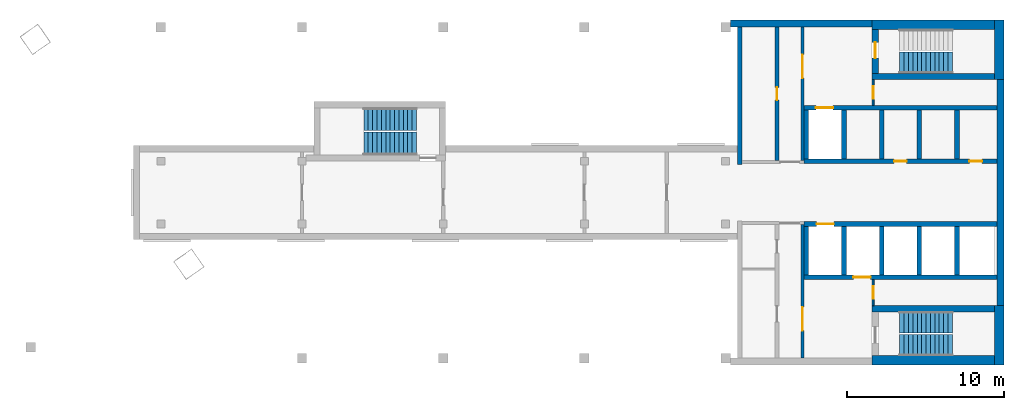
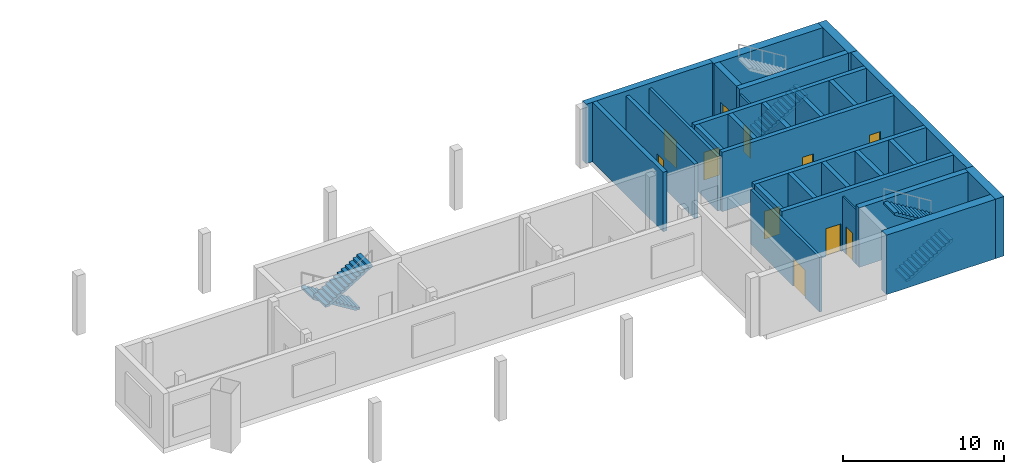
# One storey, part 2 of 4: 29 walls, 11 doors, 5 stair flights, 11 openings, 3 elements without a shape of their own.
"""IFC4 building model written with IfcOpenShell, lengths in metres."""

from ifc_helpers import new_model, si_unit, direction, frame, frame_2d, origin, place, context, subcontext, project, spatial, polyline, rectangle, outline, extrude, material, layer, layer_set, type_object, element, fill, aggregate, save


model = new_model("IFC4")

# Units and contexts
model_context = context("Model", 3, precision=1e-05, world=origin(), true_north=direction((0.0, 1.0)))
body_context = subcontext(model_context, "Body", "Model", "MODEL_VIEW")
ifc_project = project(units=[si_unit("LENGTHUNIT", "METRE"), si_unit("AREAUNIT", "SQUARE_METRE"), si_unit("VOLUMEUNIT", "CUBIC_METRE"), si_unit("PLANEANGLEUNIT", "RADIAN"), si_unit("MASSUNIT", "GRAM", prefix="KILO")], contexts=[model_context])

# Site, building, storey
site_placement = place(None, origin())
site = spatial("IfcSite", under=ifc_project, at=site_placement, CompositionType="ELEMENT")
building_placement = place(site_placement, origin())
building = spatial("IfcBuilding", under=site, at=building_placement, Name="Skarvind Civic Tower", CompositionType="ELEMENT")
storey_placement = place(building_placement, frame((0.0, 0.0, 282.0)))
storey = spatial("IfcBuildingStorey", under=building, at=storey_placement, Name="L67", CompositionType="ELEMENT", Elevation=282.0)

# Wall, opening, door
ifc_material_1 = material(Name="Fire-rated masonry partition", Category="masonry")
ifc_layer_1 = layer(ifc_material_1, 0.199951171875)
ifc_layer_set_1 = layer_set([ifc_layer_1], Name="Core enclosure wall 200")
wall_type_1 = type_object("IfcWallType", Name="Core enclosure wall 200", PredefinedType="PARTITIONING", material=ifc_layer_set_1)
wall_1_placement = place(storey_placement, frame((95.14990234375, 117.449951171875, 0.0), z_axis=(0.0, 0.0, 1.0), x_axis=(0.0, 1.0, 0.0)))
wall_1 = element("IfcWall", 1, at=wall_1_placement, inside=storey, type_object=wall_type_1, Name="Core wall C1", PredefinedType="PARTITIONING", context=body_context, shape_type="SweptSolid", body=[
    extrude(rectangle(XDim=8.5, YDim=0.199951171875, at=frame_2d((4.25, 0.0))), origin(), (0.0, 0.0, 1.0), 4.125),
])
opening_1_placement = place(wall_1_placement, frame((1.75, 0.0, 0.0)))
opening_1 = element("IfcOpeningElement", 2, at=opening_1_placement, cuts=wall_1, Name="Opening D-L67-C1-05", PredefinedType="OPENING", context=body_context, shape_type="SweptSolid", body=[
    extrude(rectangle(XDim=1.5, YDim=2.10009765625, at=frame_2d((0.75, 1.050048828125))), frame((0.0, 0.10986328125, 0.0), z_axis=(0.0, -1.0, 0.0), x_axis=(1.0, 0.0, 0.0)), (0.0, 0.0, 1.0), 0.219970703125),
])
ifc_material_2 = material(Name="Fire-rated steel door", Category="steel")
door_type_1 = type_object("IfcDoorType", Name="Fire door 1500", OperationType="NOTDEFINED", PredefinedType="DOOR", material=ifc_material_2)
door_1_placement = place(opening_1_placement, origin())
door_1 = element("IfcDoor", 3, at=door_1_placement, inside=storey, type_object=door_type_1, Name="Fire door", OperationType="DOUBLE_DOOR_SINGLE_SWING", OverallHeight=2.10009765625, OverallWidth=1.5, PredefinedType="DOOR", context=body_context, shape_type="SweptSolid", body=[
    extrude(rectangle(XDim=1.5, YDim=2.10009765625, at=frame_2d((0.75, 1.050048828125))), frame((0.0, 0.02490234375, 0.0), z_axis=(0.0, -1.0, 0.0), x_axis=(1.0, 0.0, 0.0)), (0.0, 0.0, 1.0), 0.050048828125),
])
fill(opening_1, door_1)

wall_2_placement = place(storey_placement, frame((95.14990234375, 130.050048828125, 0.0), z_axis=(0.0, 0.0, 1.0), x_axis=(0.0, 1.0, 0.0)))
wall_2 = element("IfcWall", 4, at=wall_2_placement, inside=storey, type_object=wall_type_1, Name="Core wall C1", PredefinedType="PARTITIONING", context=body_context, shape_type="SweptSolid", body=[
    extrude(rectangle(XDim=8.5, YDim=0.199951171875, at=frame_2d((4.25, 0.0))), origin(), (0.0, 0.0, 1.0), 4.125),
])
opening_2_placement = place(wall_2_placement, frame((5.25, 0.0, 0.0)))
opening_2 = element("IfcOpeningElement", 5, at=opening_2_placement, cuts=wall_2, Name="Opening D-L67-C1-11", PredefinedType="OPENING", context=body_context, shape_type="SweptSolid", body=[
    extrude(rectangle(XDim=1.5, YDim=2.10009765625, at=frame_2d((0.75, 1.050048828125))), frame((0.0, 0.10986328125, 0.0), z_axis=(0.0, -1.0, 0.0), x_axis=(1.0, 0.0, 0.0)), (0.0, 0.0, 1.0), 0.219970703125),
])
door_2_placement = place(opening_2_placement, origin())
door_2 = element("IfcDoor", 6, at=door_2_placement, inside=storey, type_object=door_type_1, Name="Fire door", OperationType="DOUBLE_DOOR_SINGLE_SWING", OverallHeight=2.10009765625, OverallWidth=1.5, PredefinedType="DOOR", context=body_context, shape_type="SweptSolid", body=[
    extrude(rectangle(XDim=1.5, YDim=2.10009765625, at=frame_2d((0.75, 1.050048828125))), frame((0.0, 0.02490234375, 0.0), z_axis=(0.0, -1.0, 0.0), x_axis=(1.0, 0.0, 0.0)), (0.0, 0.0, 1.0), 0.050048828125),
])
fill(opening_2, door_2)

# Wall, openings, doors
ifc_material_3 = material(Name="Concrete C60", Category="concrete")
ifc_layer_2 = layer(ifc_material_3, 0.300048828125)
ifc_layer_set_2 = layer_set([ifc_layer_2], Name="Core wall 300 C60")
wall_type_2 = type_object("IfcWallType", Name="Core wall 300 C60", PredefinedType="SHEAR", material=ifc_layer_set_2)
wall_3_placement = place(storey_placement, frame((107.550048828125, 130.0, 0.0), z_axis=(0.0, 0.0, 1.0), x_axis=(-1.0, 0.0, 0.0)))
wall_3 = element("IfcWall", 7, at=wall_3_placement, inside=storey, type_object=wall_type_2, Name="Core wall C1 south lift row front L67", PredefinedType="SHEAR", context=body_context, shape_type="SweptSolid", body=[
    extrude(rectangle(XDim=12.300048828125, YDim=0.300048828125, at=frame_2d((6.14990234375, 0.0))), origin(), (0.0, 0.0, 1.0), 4.5),
])
opening_3_placement = place(wall_3_placement, frame((0.949951171875, 0.0, 0.0)))
opening_3 = element("IfcOpeningElement", 8, at=opening_3_placement, cuts=wall_3, Name="Opening D-L67-C1-02", PredefinedType="OPENING", context=body_context, shape_type="SweptSolid", body=[
    extrude(rectangle(XDim=0.800048828125, YDim=2.10009765625, at=frame_2d((0.39990234375, 1.050048828125))), frame((0.0, 0.159912109375, 0.0), z_axis=(0.0, -1.0, 0.0), x_axis=(1.0, 0.0, 0.0)), (0.0, 0.0, 1.0), 0.320068359375),
])
opening_4_placement = place(wall_3_placement, frame((5.75, 0.0, 0.0)))
opening_4 = element("IfcOpeningElement", 9, at=opening_4_placement, cuts=wall_3, Name="Opening D-L67-C1-03", PredefinedType="OPENING", context=body_context, shape_type="SweptSolid", body=[
    extrude(rectangle(XDim=0.800048828125, YDim=2.10009765625, at=frame_2d((0.39990234375, 1.050048828125))), frame((0.0, 0.159912109375, 0.0), z_axis=(0.0, -1.0, 0.0), x_axis=(1.0, 0.0, 0.0)), (0.0, 0.0, 1.0), 0.320068359375),
])
door_type_2 = type_object("IfcDoorType", Name="Core riser door 800", OperationType="NOTDEFINED", PredefinedType="DOOR", material=ifc_material_2)
door_3_placement = place(opening_3_placement, origin())
door_3 = element("IfcDoor", 10, at=door_3_placement, inside=storey, type_object=door_type_2, Name="Riser door", OperationType="SINGLE_SWING_LEFT", OverallHeight=2.10009765625, OverallWidth=0.800048828125, PredefinedType="DOOR", context=body_context, shape_type="SweptSolid", body=[
    extrude(rectangle(XDim=0.800048828125, YDim=2.10009765625, at=frame_2d((0.39990234375, 1.050048828125))), frame((0.0, 0.02490234375, 0.0), z_axis=(0.0, -1.0, 0.0), x_axis=(1.0, 0.0, 0.0)), (0.0, 0.0, 1.0), 0.050048828125),
])
fill(opening_3, door_3)
door_4_placement = place(opening_4_placement, origin())
door_4 = element("IfcDoor", 11, at=door_4_placement, inside=storey, type_object=door_type_2, Name="Riser door", OperationType="SINGLE_SWING_RIGHT", OverallHeight=2.10009765625, OverallWidth=0.800048828125, PredefinedType="DOOR", context=body_context, shape_type="SweptSolid", body=[
    extrude(rectangle(XDim=0.800048828125, YDim=2.10009765625, at=frame_2d((0.39990234375, 1.050048828125))), frame((0.0, 0.02490234375, 0.0), z_axis=(0.0, -1.0, 0.0), x_axis=(1.0, 0.0, 0.0)), (0.0, 0.0, 1.0), 0.050048828125),
])
fill(opening_4, door_4)

# Wall, opening, door
wall_4_placement = place(storey_placement, frame((107.550048828125, 133.39990234375, 0.0), z_axis=(0.0, 0.0, 1.0), x_axis=(-1.0, 0.0, 0.0)))
wall_4 = element("IfcWall", 12, at=wall_4_placement, inside=storey, type_object=wall_type_2, Name="Core wall C1 south lift row back L67", PredefinedType="SHEAR", context=body_context, shape_type="SweptSolid", body=[
    extrude(rectangle(XDim=12.300048828125, YDim=0.300048828125, at=frame_2d((6.14990234375, 0.0))), origin(), (0.0, 0.0, 1.0), 4.5),
])
opening_5_placement = place(wall_4_placement, frame((10.449951171875, 0.0, 0.0)))
opening_5 = element("IfcOpeningElement", 13, at=opening_5_placement, cuts=wall_4, Name="Opening LD69110", PredefinedType="OPENING", context=body_context, shape_type="SweptSolid", body=[
    extrude(rectangle(XDim=1.10009765625, YDim=2.10009765625, at=frame_2d((0.550048828125, 1.050048828125))), frame((0.0, 0.159912109375, 0.0), z_axis=(0.0, -1.0, 0.0), x_axis=(1.0, 0.0, 0.0)), (0.0, 0.0, 1.0), 0.320068359375),
])
ifc_material_4 = material(Name="Stainless steel landing door", Category="steel")
door_type_3 = type_object("IfcDoorType", Name="Lift landing door 1100", OperationType="DOUBLE_DOOR_SLIDING", PredefinedType="DOOR", material=ifc_material_4)
door_5_placement = place(opening_5_placement, origin())
door_5 = element("IfcDoor", 14, at=door_5_placement, inside=storey, type_object=door_type_3, Name="Lift landing door", OperationType="DOUBLE_DOOR_SLIDING", OverallHeight=2.10009765625, OverallWidth=1.10009765625, PredefinedType="DOOR", context=body_context, shape_type="SweptSolid", body=[
    extrude(rectangle(XDim=1.10009765625, YDim=2.10009765625, at=frame_2d((0.550048828125, 1.050048828125))), frame((0.0, 0.02490234375, 0.0), z_axis=(0.0, -1.0, 0.0), x_axis=(1.0, 0.0, 0.0)), (0.0, 0.0, 1.0), 0.050048828125),
])
fill(opening_5, door_5)

# Walls
for number, where, z_axis, x_axis, name in (
    (15, (105.0, 133.25, 0.0), (0.0, 0.0, 1.0), (0.0, -1.0, 0.0), "Core wall C1 south lift row division 1 L67"),
    (16, (102.60009765625, 133.25, 0.0), (0.0, 0.0, 1.0), (0.0, -1.0, 0.0), "Core wall C1 south lift row division 2 L67"),
    (17, (100.199951171875, 133.25, 0.0), (0.0, 0.0, 1.0), (0.0, -1.0, 0.0), "Core wall C1 south lift row division 3 L67"),
    (18, (97.800048828125, 133.25, 0.0), (0.0, 0.0, 1.0), (0.0, -1.0, 0.0), "Core wall C1 south lift row division 4 L67"),
    (19, (95.39990234375, 133.25, 0.0), (0.0, 0.0, 1.0), (0.0, -1.0, 0.0), "Core wall C1 south lift row division 5 L67"),
):
    element("IfcWall", number, at=place(storey_placement, frame(where, z_axis=z_axis, x_axis=x_axis)), inside=storey, type_object=wall_type_2, Name=name, PredefinedType="SHEAR", context=body_context, shape_type="SweptSolid", body=[
        extrude(rectangle(XDim=3.10009765625, YDim=0.300048828125, at=frame_2d((1.550048828125, 0.0))), origin(), (0.0, 0.0, 1.0), 4.5),
    ])

# Wall, opening, door
wall_5_placement = place(storey_placement, frame((107.550048828125, 126.0, 0.0), z_axis=(0.0, 0.0, 1.0), x_axis=(-1.0, 0.0, 0.0)))
wall_5 = element("IfcWall", 20, at=wall_5_placement, inside=storey, type_object=wall_type_2, Name="Core wall C1 north lift row front L67", PredefinedType="SHEAR", context=body_context, shape_type="SweptSolid", body=[
    extrude(rectangle(XDim=12.300048828125, YDim=0.300048828125, at=frame_2d((6.14990234375, 0.0))), origin(), (0.0, 0.0, 1.0), 4.5),
])
opening_6_placement = place(wall_5_placement, frame((10.39990234375, 0.0, 0.0)))
opening_6 = element("IfcOpeningElement", 21, at=opening_6_placement, cuts=wall_5, Name="Opening LD69105", PredefinedType="OPENING", context=body_context, shape_type="SweptSolid", body=[
    extrude(rectangle(XDim=1.10009765625, YDim=2.10009765625, at=frame_2d((0.550048828125, 1.050048828125))), frame((0.0, 0.159912109375, 0.0), z_axis=(0.0, -1.0, 0.0), x_axis=(1.0, 0.0, 0.0)), (0.0, 0.0, 1.0), 0.320068359375),
])
door_6_placement = place(opening_6_placement, origin())
door_6 = element("IfcDoor", 22, at=door_6_placement, inside=storey, type_object=door_type_3, Name="Lift landing door", OperationType="DOUBLE_DOOR_SLIDING", OverallHeight=2.10009765625, OverallWidth=1.10009765625, PredefinedType="DOOR", context=body_context, shape_type="SweptSolid", body=[
    extrude(rectangle(XDim=1.10009765625, YDim=2.10009765625, at=frame_2d((0.550048828125, 1.050048828125))), frame((0.0, 0.02490234375, 0.0), z_axis=(0.0, -1.0, 0.0), x_axis=(1.0, 0.0, 0.0)), (0.0, 0.0, 1.0), 0.050048828125),
])
fill(opening_6, door_6)

wall_6_placement = place(storey_placement, frame((107.550048828125, 122.60009765625, 0.0), z_axis=(0.0, 0.0, 1.0), x_axis=(-1.0, 0.0, 0.0)))
wall_6 = element("IfcWall", 23, at=wall_6_placement, inside=storey, type_object=wall_type_2, Name="Core wall C1 north lift row back L67", PredefinedType="SHEAR", context=body_context, shape_type="SweptSolid", body=[
    extrude(rectangle(XDim=12.300048828125, YDim=0.300048828125, at=frame_2d((6.14990234375, 0.0))), origin(), (0.0, 0.0, 1.0), 4.5),
])
opening_7_placement = place(wall_6_placement, frame((8.050048828125, 0.0, 0.0)))
opening_7 = element("IfcOpeningElement", 24, at=opening_7_placement, cuts=wall_6, Name="Opening LD69104", PredefinedType="OPENING", context=body_context, shape_type="SweptSolid", body=[
    extrude(rectangle(XDim=1.10009765625, YDim=2.10009765625, at=frame_2d((0.550048828125, 1.050048828125))), frame((0.0, 0.159912109375, 0.0), z_axis=(0.0, -1.0, 0.0), x_axis=(1.0, 0.0, 0.0)), (0.0, 0.0, 1.0), 0.320068359375),
])
door_7_placement = place(opening_7_placement, origin())
door_7 = element("IfcDoor", 25, at=door_7_placement, inside=storey, type_object=door_type_3, Name="Lift landing door", OperationType="DOUBLE_DOOR_SLIDING", OverallHeight=2.10009765625, OverallWidth=1.10009765625, PredefinedType="DOOR", context=body_context, shape_type="SweptSolid", body=[
    extrude(rectangle(XDim=1.10009765625, YDim=2.10009765625, at=frame_2d((0.550048828125, 1.050048828125))), frame((0.0, 0.02490234375, 0.0), z_axis=(0.0, -1.0, 0.0), x_axis=(1.0, 0.0, 0.0)), (0.0, 0.0, 1.0), 0.050048828125),
])
fill(opening_7, door_7)

# Walls
for number, where, z_axis, x_axis, name in (
    (26, (105.0, 125.85009765625, 0.0), (0.0, 0.0, 1.0), (0.0, -1.0, 0.0), "Core wall C1 north lift row division 1 L67"),
    (27, (102.60009765625, 125.85009765625, 0.0), (0.0, 0.0, 1.0), (0.0, -1.0, 0.0), "Core wall C1 north lift row division 2 L67"),
    (28, (100.199951171875, 125.85009765625, 0.0), (0.0, 0.0, 1.0), (0.0, -1.0, 0.0), "Core wall C1 north lift row division 3 L67"),
    (29, (97.800048828125, 125.85009765625, 0.0), (0.0, 0.0, 1.0), (0.0, -1.0, 0.0), "Core wall C1 north lift row division 4 L67"),
    (30, (95.39990234375, 125.85009765625, 0.0), (0.0, 0.0, 1.0), (0.0, -1.0, 0.0), "Core wall C1 north lift row division 5 L67"),
):
    element("IfcWall", number, at=place(storey_placement, frame(where, z_axis=z_axis, x_axis=x_axis)), inside=storey, type_object=wall_type_2, Name=name, PredefinedType="SHEAR", context=body_context, shape_type="SweptSolid", body=[
        extrude(rectangle(XDim=3.10009765625, YDim=0.300048828125, at=frame_2d((1.550048828125, 0.0))), origin(), (0.0, 0.0, 1.0), 4.5),
    ])
wall_7_placement = place(storey_placement, frame((91.14990234375, 138.550048828125, 0.0), z_axis=(0.0, 0.0, 1.0), x_axis=(0.0, -1.0, 0.0)))
element("IfcWall", 31, at=wall_7_placement, inside=storey, type_object=wall_type_2, Name="Core wall C1 south inner face L67", PredefinedType="SHEAR", context=body_context, shape_type="SweptSolid", body=[
    extrude(rectangle(XDim=8.75, YDim=0.300048828125, at=frame_2d((4.375, 0.0))), origin(), (0.0, 0.0, 1.0), 4.5),
])
ifc_layer_3 = layer(ifc_material_3, 0.39990234375)
ifc_layer_set_3 = layer_set([ifc_layer_3], Name="Core wall 400 C60")
wall_type_3 = type_object("IfcWallType", Name="Core wall 400 C60", PredefinedType="SHEAR", material=ifc_layer_set_3)
wall_8_placement = place(storey_placement, frame((107.39990234375, 135.39990234375, 0.0), z_axis=(0.0, 0.0, 1.0), x_axis=(-1.0, 0.0, 0.0)))
element("IfcWall", 32, at=wall_8_placement, inside=storey, type_object=wall_type_3, Name="Core wall C1 south stair inner L67", PredefinedType="SHEAR", context=body_context, shape_type="SweptSolid", body=[
    extrude(rectangle(XDim=7.7998046875, YDim=0.39990234375, at=frame_2d((3.89990234375, 0.0))), origin(), (0.0, 0.0, 1.0), 4.5),
])

# Wall, opening, door
wall_9_placement = place(storey_placement, frame((99.800048828125, 138.39990234375, 0.0), z_axis=(0.0, 0.0, 1.0), x_axis=(0.0, -1.0, 0.0)))
wall_9 = element("IfcWall", 33, at=wall_9_placement, inside=storey, type_object=wall_type_3, Name="Core wall C1 south stair end L67", PredefinedType="SHEAR", context=body_context, shape_type="SweptSolid", body=[
    extrude(rectangle(XDim=2.7998046875, YDim=0.39990234375, at=frame_2d((1.39990234375, 0.0))), origin(), (0.0, 0.0, 1.0), 4.5),
])
opening_8_placement = place(wall_9_placement, frame((0.824951171875, 0.0, 0.0)))
opening_8 = element("IfcOpeningElement", 34, at=opening_8_placement, cuts=wall_9, Name="Opening D-L67-C1-12", PredefinedType="OPENING", context=body_context, shape_type="SweptSolid", body=[
    extrude(rectangle(XDim=1.0, YDim=2.10009765625, at=frame_2d((0.5, 1.050048828125))), frame((0.0, 0.2099609375, 0.0), z_axis=(0.0, -1.0, 0.0), x_axis=(1.0, 0.0, 0.0)), (0.0, 0.0, 1.0), 0.419921875),
])
door_type_4 = type_object("IfcDoorType", Name="Fire door 1000", OperationType="NOTDEFINED", PredefinedType="DOOR", material=ifc_material_2)
door_8_placement = place(opening_8_placement, origin())
door_8 = element("IfcDoor", 35, at=door_8_placement, inside=storey, type_object=door_type_4, Name="Fire door", OperationType="SINGLE_SWING_RIGHT", OverallHeight=2.10009765625, OverallWidth=1.0, PredefinedType="DOOR", context=body_context, shape_type="SweptSolid", body=[
    extrude(rectangle(XDim=1.0, YDim=2.10009765625, at=frame_2d((0.5, 1.050048828125))), frame((0.0, 0.02490234375, 0.0), z_axis=(0.0, -1.0, 0.0), x_axis=(1.0, 0.0, 0.0)), (0.0, 0.0, 1.0), 0.050048828125),
])
fill(opening_8, door_8)

# Walls
wall_10_placement = place(storey_placement, frame((107.39990234375, 120.60009765625, 0.0), z_axis=(0.0, 0.0, 1.0), x_axis=(-1.0, 0.0, 0.0)))
element("IfcWall", 36, at=wall_10_placement, inside=storey, type_object=wall_type_3, Name="Core wall C1 north stair inner L67", PredefinedType="SHEAR", context=body_context, shape_type="SweptSolid", body=[
    extrude(rectangle(XDim=7.7998046875, YDim=0.39990234375, at=frame_2d((3.89990234375, 0.0))), origin(), (0.0, 0.0, 1.0), 4.5),
])
ifc_layer_4 = layer(ifc_material_3, 0.449951171875)
ifc_layer_set_4 = layer_set([ifc_layer_4], Name="Core wall 450 C60")
wall_type_4 = type_object("IfcWallType", Name="Core wall 450 C60", PredefinedType="SHEAR", material=ifc_layer_set_4)
wall_11_placement = place(storey_placement, frame((107.77490234375, 135.199951171875, 0.0), z_axis=(0.0, 0.0, 1.0), x_axis=(0.0, -1.0, 0.0)))
element("IfcWall", 37, at=wall_11_placement, inside=storey, type_object=wall_type_4, Name="Core wall C1 tip between the stairs L67", PredefinedType="SHEAR", context=body_context, shape_type="SweptSolid", body=[
    extrude(rectangle(XDim=14.39990234375, YDim=0.449951171875, at=frame_2d((7.199951171875, 0.0))), origin(), (0.0, 0.0, 1.0), 4.5),
])
wall_12_placement = place(storey_placement, frame((99.60009765625, 138.77490234375, 0.0), z_axis=(0.0, 0.0, 1.0), x_axis=(-1.0, 0.0, 0.0)))
element("IfcWall", 38, at=wall_12_placement, inside=storey, type_object=wall_type_4, Name="Core wall C1 south side L67", PredefinedType="SHEAR", context=body_context, shape_type="SweptSolid", body=[
    extrude(rectangle(XDim=9.050048828125, YDim=0.449951171875, at=frame_2d((4.52490234375, 0.0))), origin(), (0.0, 0.0, 1.0), 4.5),
])
ifc_layer_5 = layer(ifc_material_3, 0.60009765625)
ifc_layer_set_5 = layer_set([ifc_layer_5], Name="Core wall 600 C60")
wall_type_5 = type_object("IfcWallType", Name="Core wall 600 C60", PredefinedType="SHEAR", material=ifc_layer_set_5)
for number, where, z_axis, x_axis, name in (
    (39, (107.699951171875, 139.0, 0.0), (0.0, 0.0, 1.0), (0.0, -1.0, 0.0), "Core wall C1 tip at the south stair L67"),
    (40, (107.699951171875, 120.800048828125, 0.0), (0.0, 0.0, 1.0), (0.0, -1.0, 0.0), "Core wall C1 tip at the north stair L67"),
):
    element("IfcWall", number, at=place(storey_placement, frame(where, z_axis=z_axis, x_axis=x_axis)), inside=storey, type_object=wall_type_5, Name=name, PredefinedType="SHEAR", context=body_context, shape_type="SweptSolid", body=[
        extrude(rectangle(XDim=3.800048828125, YDim=0.60009765625, at=frame_2d((1.89990234375, 0.0))), origin(), (0.0, 0.0, 1.0), 4.5),
    ])
for number, where, z_axis, x_axis, name in (
    (41, (107.39990234375, 138.699951171875, 0.0), (0.0, 0.0, 1.0), (-1.0, 0.0, 0.0), "Core wall C1 south side at the stair L67"),
    (42, (107.39990234375, 117.300048828125, 0.0), (0.0, 0.0, 1.0), (-1.0, 0.0, 0.0), "Core wall C1 north side at the stair L67"),
):
    element("IfcWall", number, at=place(storey_placement, frame(where, z_axis=z_axis, x_axis=x_axis)), inside=storey, type_object=wall_type_5, Name=name, PredefinedType="SHEAR", context=body_context, shape_type="SweptSolid", body=[
        extrude(rectangle(XDim=7.7998046875, YDim=0.60009765625, at=frame_2d((3.89990234375, 0.0))), origin(), (0.0, 0.0, 1.0), 4.5),
    ])

# Wall, opening, door
ifc_layer_6 = layer(ifc_material_1, 0.125)
ifc_layer_set_6 = layer_set([ifc_layer_6], Name="Riser wall 125")
wall_type_6 = type_object("IfcWallType", Name="Riser wall 125", PredefinedType="PARTITIONING", material=ifc_layer_set_6)
wall_13_placement = place(storey_placement, frame((99.66259765625, 120.800048828125, 0.0), z_axis=(0.0, 0.0, 1.0), x_axis=(0.0, 1.0, 0.0)))
wall_13 = element("IfcWall", 43, at=wall_13_placement, inside=storey, type_object=wall_type_6, Name="Core wall C1", PredefinedType="PARTITIONING", context=body_context, shape_type="SweptSolid", body=[
    extrude(rectangle(XDim=1.64990234375, YDim=0.125, at=frame_2d((0.824951171875, 0.0))), origin(), (0.0, 0.0, 1.0), 4.125),
])
opening_9_placement = place(wall_13_placement, frame((0.425048828125, 0.0, 0.0)))
opening_9 = element("IfcOpeningElement", 44, at=opening_9_placement, cuts=wall_13, Name="Opening D-L67-C1-07", PredefinedType="OPENING", context=body_context, shape_type="SweptSolid", body=[
    extrude(rectangle(XDim=0.800048828125, YDim=2.10009765625, at=frame_2d((0.39990234375, 1.050048828125))), frame((0.0, 0.072509765625, 0.0), z_axis=(0.0, -1.0, 0.0), x_axis=(1.0, 0.0, 0.0)), (0.0, 0.0, 1.0), 0.14501953125),
])
door_9_placement = place(opening_9_placement, origin())
door_9 = element("IfcDoor", 45, at=door_9_placement, inside=storey, type_object=door_type_2, Name="Riser door", OperationType="SINGLE_SWING_RIGHT", OverallHeight=2.10009765625, OverallWidth=0.800048828125, PredefinedType="DOOR", context=body_context, shape_type="SweptSolid", body=[
    extrude(rectangle(XDim=0.800048828125, YDim=2.10009765625, at=frame_2d((0.39990234375, 1.050048828125))), frame((0.0, 0.02490234375, 0.0), z_axis=(0.0, -1.0, 0.0), x_axis=(1.0, 0.0, 0.0)), (0.0, 0.0, 1.0), 0.050048828125),
])
fill(opening_9, door_9)

wall_14_placement = place(storey_placement, frame((99.66259765625, 133.550048828125, 0.0), z_axis=(0.0, 0.0, 1.0), x_axis=(0.0, 1.0, 0.0)))
wall_14 = element("IfcWall", 46, at=wall_14_placement, inside=storey, type_object=wall_type_6, Name="Core wall C1", PredefinedType="PARTITIONING", context=body_context, shape_type="SweptSolid", body=[
    extrude(rectangle(XDim=1.64990234375, YDim=0.125, at=frame_2d((0.824951171875, 0.0))), origin(), (0.0, 0.0, 1.0), 4.125),
])
opening_10_placement = place(wall_14_placement, frame((0.425048828125, 0.0, 0.0)))
opening_10 = element("IfcOpeningElement", 47, at=opening_10_placement, cuts=wall_14, Name="Opening D-L67-C1-13", PredefinedType="OPENING", context=body_context, shape_type="SweptSolid", body=[
    extrude(rectangle(XDim=0.800048828125, YDim=2.10009765625, at=frame_2d((0.39990234375, 1.050048828125))), frame((0.0, 0.072509765625, 0.0), z_axis=(0.0, -1.0, 0.0), x_axis=(1.0, 0.0, 0.0)), (0.0, 0.0, 1.0), 0.14501953125),
])
door_10_placement = place(opening_10_placement, origin())
door_10 = element("IfcDoor", 48, at=door_10_placement, inside=storey, type_object=door_type_2, Name="Riser door", OperationType="SINGLE_SWING_LEFT", OverallHeight=2.10009765625, OverallWidth=0.800048828125, PredefinedType="DOOR", context=body_context, shape_type="SweptSolid", body=[
    extrude(rectangle(XDim=0.800048828125, YDim=2.10009765625, at=frame_2d((0.39990234375, 1.050048828125))), frame((0.0, 0.02490234375, 0.0), z_axis=(0.0, -1.0, 0.0), x_axis=(1.0, 0.0, 0.0)), (0.0, 0.0, 1.0), 0.050048828125),
])
fill(opening_10, door_10)

ifc_layer_7 = layer(ifc_material_1, 0.25)
ifc_layer_set_7 = layer_set([ifc_layer_7], Name="Service block wall 250")
wall_type_7 = type_object("IfcWallType", Name="Service block wall 250", PredefinedType="PARTITIONING", material=ifc_layer_set_7)
wall_15_placement = place(storey_placement, frame((93.52490234375, 130.050048828125, 0.0), z_axis=(0.0, 0.0, 1.0), x_axis=(0.0, 1.0, 0.0)))
wall_15 = element("IfcWall", 49, at=wall_15_placement, inside=storey, type_object=wall_type_7, Name="Core wall C1", PredefinedType="PARTITIONING", context=body_context, shape_type="SweptSolid", body=[
    extrude(rectangle(XDim=8.5, YDim=0.25, at=frame_2d((4.25, 0.0))), origin(), (0.0, 0.0, 1.0), 4.125),
])
opening_11_placement = place(wall_15_placement, frame((3.85009765625, 0.0, 0.0)))
opening_11 = element("IfcOpeningElement", 50, at=opening_11_placement, cuts=wall_15, Name="Opening D-L67-C1-14", PredefinedType="OPENING", context=body_context, shape_type="SweptSolid", body=[
    extrude(rectangle(XDim=0.800048828125, YDim=2.10009765625, at=frame_2d((0.39990234375, 1.050048828125))), frame((0.0, 0.135009765625, 0.0), z_axis=(0.0, -1.0, 0.0), x_axis=(1.0, 0.0, 0.0)), (0.0, 0.0, 1.0), 0.27001953125),
])
door_11_placement = place(opening_11_placement, origin())
door_11 = element("IfcDoor", 51, at=door_11_placement, inside=storey, type_object=door_type_2, Name="Riser door", OperationType="SINGLE_SWING_RIGHT", OverallHeight=2.10009765625, OverallWidth=0.800048828125, PredefinedType="DOOR", context=body_context, shape_type="SweptSolid", body=[
    extrude(rectangle(XDim=0.800048828125, YDim=2.10009765625, at=frame_2d((0.39990234375, 1.050048828125))), frame((0.0, 0.02490234375, 0.0), z_axis=(0.0, -1.0, 0.0), x_axis=(1.0, 0.0, 0.0)), (0.0, 0.0, 1.0), 0.050048828125),
])
fill(opening_11, door_11)

# Stair, stair flights
ifc_material_5 = material(Name="Concrete C40/50", Category="concrete")
stair_type_1 = type_object("IfcStairType", Name="Exit stair 1450, half-turn, concrete", PredefinedType="HALF_TURN_STAIR", material=ifc_material_5)
stair_1_placement = place(storey_placement, origin())
stair_1 = element("IfcStair", 52, at=stair_1_placement, inside=storey, type_object=stair_type_1, Name="Exit stair CM", PredefinedType="HALF_TURN_STAIR")
stair_flight_type_1 = type_object("IfcStairFlightType", Name="Stair flight 1450, concrete", PredefinedType="STRAIGHT", material=ifc_material_5)
stair_flight_1_placement = place(storey_placement, frame((70.550048828125, 132.675048828125, 0.0), z_axis=(0.0, 0.0, 1.0), x_axis=(-1.0, 0.0, 0.0)))
stair_flight_1 = element("IfcStairFlight", 53, at=stair_flight_1_placement, type_object=stair_flight_type_1, Name="ST-CM flight 1", NumberOfRisers=13, NumberOfTreads=12, PredefinedType="STRAIGHT", RiserHeight=0.173076923, TreadLength=0.28, context=body_context, shape_type="SweptSolid", body=[
    extrude(outline(polyline([(0.0, 0.0), (0.0, 0.173095703125), (0.280029296875, 0.173095703125), (0.280029296875, 0.34619140625), (0.56005859375, 0.34619140625), (0.56005859375, 0.519287109375), (0.840087890625, 0.519287109375), (0.840087890625, 0.6923828125), (1.1201171875, 0.6923828125), (1.1201171875, 0.865478515625), (1.39990234375, 0.865478515625), (1.39990234375, 1.03857421875), (1.679931640625, 1.03857421875), (1.679931640625, 1.21142578125), (1.9599609375, 1.21142578125), (1.9599609375, 1.384521484375), (2.239990234375, 1.384521484375), (2.239990234375, 1.5576171875), (2.52001953125, 1.5576171875), (2.52001953125, 1.730712890625), (2.800048828125, 1.730712890625), (2.800048828125, 1.90380859375), (3.080078125, 1.90380859375), (3.080078125, 2.076904296875), (3.360107421875, 2.076904296875), (3.360107421875, 2.25), (3.360107421875, 1.900634765625), (0.28515625, 0.0), (0.0, 0.0)])), frame((0.0, 0.72509765625, 0.0), z_axis=(0.0, -1.0, 0.0), x_axis=(1.0, 0.0, 0.0)), (0.0, 0.0, 1.0), 1.449951171875),
])
stair_flight_2_placement = place(storey_placement, frame((67.18994140625, 131.125, 2.25), z_axis=(0.0, 0.0, 1.0), x_axis=(1.0, 0.0, 0.0)))
stair_flight_2 = element("IfcStairFlight", 54, at=stair_flight_2_placement, type_object=stair_flight_type_1, Name="ST-CM flight 2", NumberOfRisers=13, NumberOfTreads=12, PredefinedType="STRAIGHT", RiserHeight=0.173076923, TreadLength=0.28, context=body_context, shape_type="SweptSolid", body=[
    extrude(outline(polyline([(0.0, 0.0), (0.0, 0.173095703125), (0.280029296875, 0.173095703125), (0.280029296875, 0.34619140625), (0.56005859375, 0.34619140625), (0.56005859375, 0.519287109375), (0.840087890625, 0.519287109375), (0.840087890625, 0.6923828125), (1.1201171875, 0.6923828125), (1.1201171875, 0.865478515625), (1.39990234375, 0.865478515625), (1.39990234375, 1.03857421875), (1.679931640625, 1.03857421875), (1.679931640625, 1.21142578125), (1.9599609375, 1.21142578125), (1.9599609375, 1.384521484375), (2.239990234375, 1.384521484375), (2.239990234375, 1.5576171875), (2.52001953125, 1.5576171875), (2.52001953125, 1.730712890625), (2.800048828125, 1.730712890625), (2.800048828125, 1.90380859375), (3.080078125, 1.90380859375), (3.080078125, 2.076904296875), (3.360107421875, 2.076904296875), (3.360107421875, 2.25), (3.360107421875, 1.900634765625), (0.28515625, 0.0), (0.0, 0.0)])), frame((0.0, 0.72509765625, 0.0), z_axis=(0.0, -1.0, 0.0), x_axis=(1.0, 0.0, 0.0)), (0.0, 0.0, 1.0), 1.449951171875),
])
aggregate(stair_1, [stair_flight_1, stair_flight_2])

# Stair, stair flight
stair_type_2 = type_object("IfcStairType", Name="Exit stair, half-turn, concrete", PredefinedType="HALF_TURN_STAIR", material=ifc_material_5)
stair_2_placement = place(storey_placement, origin())
stair_2 = element("IfcStair", 55, at=stair_2_placement, inside=storey, type_object=stair_type_2, Name="Exit stair C1S", PredefinedType="HALF_TURN_STAIR")
stair_flight_type_2 = type_object("IfcStairFlightType", Name="Stair flight, concrete", PredefinedType="STRAIGHT", material=ifc_material_5)
stair_flight_3_placement = place(storey_placement, frame((101.35009765625, 136.27490234375, 0.0), z_axis=(0.0, 0.0, 1.0), x_axis=(1.0, 0.0, 0.0)))
stair_flight_3 = element("IfcStairFlight", 56, at=stair_flight_3_placement, type_object=stair_flight_type_2, Name="ST-C1S flight 1", NumberOfRisers=13, NumberOfTreads=12, PredefinedType="STRAIGHT", RiserHeight=0.173076923, TreadLength=0.28, context=body_context, shape_type="SweptSolid", body=[
    extrude(outline(polyline([(0.0, 0.0), (0.0, 0.173095703125), (0.280029296875, 0.173095703125), (0.280029296875, 0.34619140625), (0.56005859375, 0.34619140625), (0.56005859375, 0.519287109375), (0.840087890625, 0.519287109375), (0.840087890625, 0.6923828125), (1.1201171875, 0.6923828125), (1.1201171875, 0.865478515625), (1.39990234375, 0.865478515625), (1.39990234375, 1.03857421875), (1.679931640625, 1.03857421875), (1.679931640625, 1.21142578125), (1.9599609375, 1.21142578125), (1.9599609375, 1.384521484375), (2.239990234375, 1.384521484375), (2.239990234375, 1.5576171875), (2.52001953125, 1.5576171875), (2.52001953125, 1.730712890625), (2.800048828125, 1.730712890625), (2.800048828125, 1.90380859375), (3.080078125, 1.90380859375), (3.080078125, 2.076904296875), (3.360107421875, 2.076904296875), (3.360107421875, 2.25), (3.360107421875, 1.900634765625), (0.28515625, 0.0), (0.0, 0.0)])), frame((0.0, 0.675048828125, 0.0), z_axis=(0.0, -1.0, 0.0), x_axis=(1.0, 0.0, 0.0)), (0.0, 0.0, 1.0), 1.35009765625),
])
aggregate(stair_2, [stair_flight_3])

# Stair, stair flights
stair_3_placement = place(storey_placement, origin())
stair_3 = element("IfcStair", 57, at=stair_3_placement, inside=storey, type_object=stair_type_2, Name="Exit stair C1N", PredefinedType="HALF_TURN_STAIR")
stair_flight_4_placement = place(storey_placement, frame((101.35009765625, 118.27490234375, 0.0), z_axis=(0.0, 0.0, 1.0), x_axis=(1.0, 0.0, 0.0)))
stair_flight_4 = element("IfcStairFlight", 58, at=stair_flight_4_placement, type_object=stair_flight_type_2, Name="ST-C1N flight 1", NumberOfRisers=13, NumberOfTreads=12, PredefinedType="STRAIGHT", RiserHeight=0.173076923, TreadLength=0.28, context=body_context, shape_type="SweptSolid", body=[
    extrude(outline(polyline([(0.0, 0.0), (0.0, 0.173095703125), (0.280029296875, 0.173095703125), (0.280029296875, 0.34619140625), (0.56005859375, 0.34619140625), (0.56005859375, 0.519287109375), (0.840087890625, 0.519287109375), (0.840087890625, 0.6923828125), (1.1201171875, 0.6923828125), (1.1201171875, 0.865478515625), (1.39990234375, 0.865478515625), (1.39990234375, 1.03857421875), (1.679931640625, 1.03857421875), (1.679931640625, 1.21142578125), (1.9599609375, 1.21142578125), (1.9599609375, 1.384521484375), (2.239990234375, 1.384521484375), (2.239990234375, 1.5576171875), (2.52001953125, 1.5576171875), (2.52001953125, 1.730712890625), (2.800048828125, 1.730712890625), (2.800048828125, 1.90380859375), (3.080078125, 1.90380859375), (3.080078125, 2.076904296875), (3.360107421875, 2.076904296875), (3.360107421875, 2.25), (3.360107421875, 1.900634765625), (0.28515625, 0.0), (0.0, 0.0)])), frame((0.0, 0.675048828125, 0.0), z_axis=(0.0, -1.0, 0.0), x_axis=(1.0, 0.0, 0.0)), (0.0, 0.0, 1.0), 1.35009765625),
])
stair_flight_5_placement = place(storey_placement, frame((104.7099609375, 119.72509765625, 2.25), z_axis=(0.0, 0.0, 1.0), x_axis=(-1.0, 0.0, 0.0)))
stair_flight_5 = element("IfcStairFlight", 59, at=stair_flight_5_placement, type_object=stair_flight_type_2, Name="ST-C1N flight 2", NumberOfRisers=13, NumberOfTreads=12, PredefinedType="STRAIGHT", RiserHeight=0.173076923, TreadLength=0.28, context=body_context, shape_type="SweptSolid", body=[
    extrude(outline(polyline([(0.0, 0.0), (0.0, 0.173095703125), (0.280029296875, 0.173095703125), (0.280029296875, 0.34619140625), (0.56005859375, 0.34619140625), (0.56005859375, 0.519287109375), (0.840087890625, 0.519287109375), (0.840087890625, 0.6923828125), (1.1201171875, 0.6923828125), (1.1201171875, 0.865478515625), (1.39990234375, 0.865478515625), (1.39990234375, 1.03857421875), (1.679931640625, 1.03857421875), (1.679931640625, 1.21142578125), (1.9599609375, 1.21142578125), (1.9599609375, 1.384521484375), (2.239990234375, 1.384521484375), (2.239990234375, 1.5576171875), (2.52001953125, 1.5576171875), (2.52001953125, 1.730712890625), (2.800048828125, 1.730712890625), (2.800048828125, 1.90380859375), (3.080078125, 1.90380859375), (3.080078125, 2.076904296875), (3.360107421875, 2.076904296875), (3.360107421875, 2.25), (3.360107421875, 1.900634765625), (0.28515625, 0.0), (0.0, 0.0)])), frame((0.0, 0.675048828125, 0.0), z_axis=(0.0, -1.0, 0.0), x_axis=(1.0, 0.0, 0.0)), (0.0, 0.0, 1.0), 1.35009765625),
])
aggregate(stair_3, [stair_flight_4, stair_flight_5])

save(model, "model.ifc")
